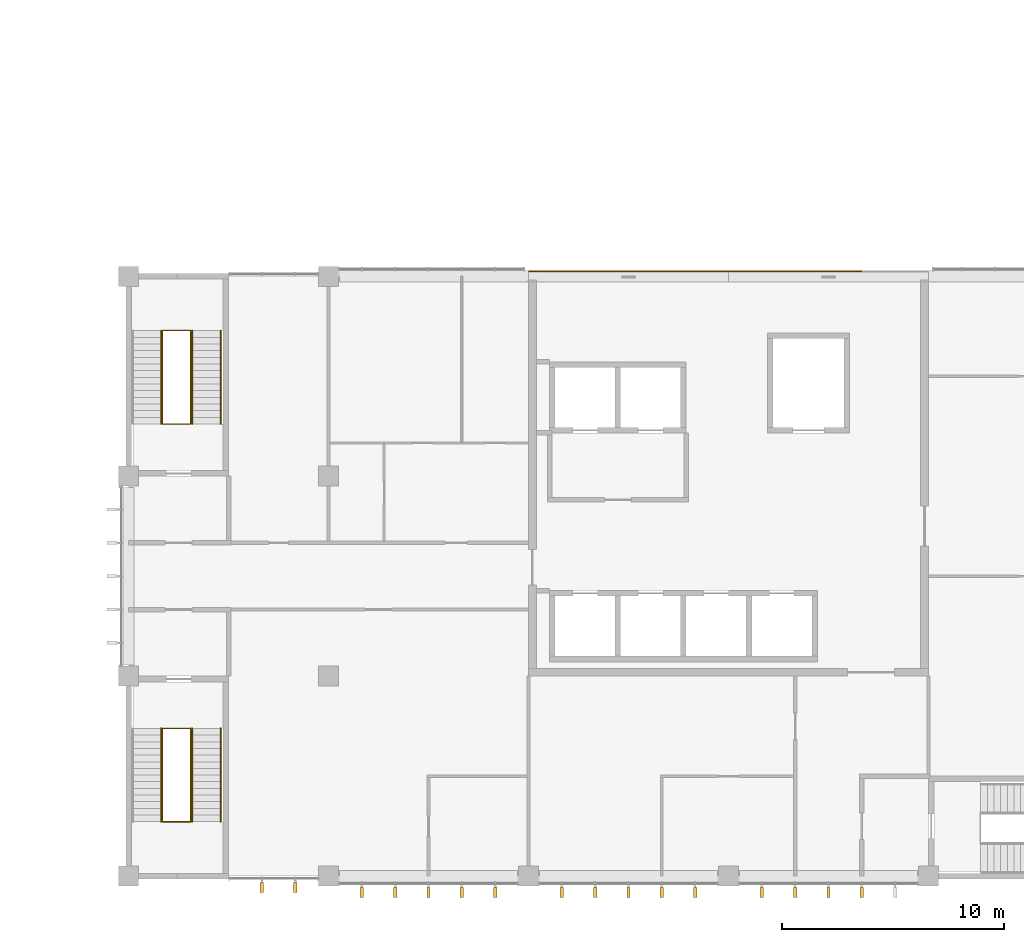
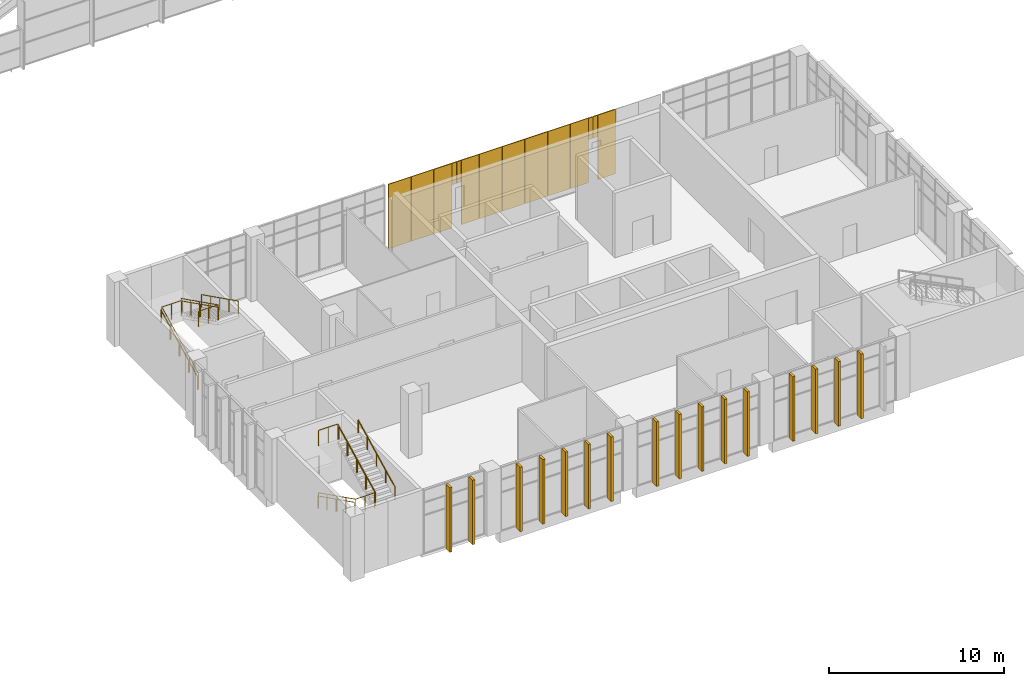
# One storey, part 102 of 106: 16 shading devices, 14 coverings, 8 railings.
"""IFC4 building model written with IfcOpenShell, lengths in metres."""

from ifc_helpers import new_model, si_unit, direction, frame, origin, origin_2d, place, context, subcontext, project, spatial, rectangle, circle, extrude, material, layer, layer_set, type_object, element, save


model = new_model("IFC4")

# Units and contexts
model_context = context("Model", 3, precision=1e-05, world=origin(), true_north=direction((0.0, 1.0)))
body_context = subcontext(model_context, "Body", "Model", "MODEL_VIEW")
ifc_project = project(units=[si_unit("LENGTHUNIT", "METRE"), si_unit("AREAUNIT", "SQUARE_METRE"), si_unit("VOLUMEUNIT", "CUBIC_METRE"), si_unit("PLANEANGLEUNIT", "RADIAN"), si_unit("MASSUNIT", "GRAM", prefix="KILO")], contexts=[model_context])

# Site, building, storey
site_placement = place(None, origin())
site = spatial("IfcSite", under=ifc_project, at=site_placement, CompositionType="ELEMENT")
building_placement = place(site_placement, origin())
building = spatial("IfcBuilding", under=site, at=building_placement, Name="Guidao Yard Department Store", CompositionType="ELEMENT")
storey_placement = place(building_placement, frame((0.0, 0.0, 10.5)))
storey = spatial("IfcBuildingStorey", under=building, at=storey_placement, Name="L02", CompositionType="ELEMENT", Elevation=10.5)

# Coverings
ifc_material_1 = material(Name="Anodised aluminium 6063-T5 cladding", Category="aluminium")
ifc_layer = layer(ifc_material_1, 0.050048828125)
ifc_layer_set = layer_set([ifc_layer], Name="Facade cladding CP1 anodised aluminium panel 6063")
covering_type = type_object("IfcCoveringType", Name="Facade cladding CP1 anodised aluminium panel 6063", PredefinedType="CLADDING", material=ifc_layer_set)
for number, where, z_axis, x_axis, name in (
    (1, (144.75, 27.22509765625, 0.0), (0.0, 0.0, 1.0), (1.0, 0.0, 0.0), "Core face cladding"),
    (2, (146.25, 27.22509765625, 0.0), (0.0, 0.0, 1.0), (1.0, 0.0, 0.0), "Core face cladding"),
):
    element("IfcCovering", number, at=place(storey_placement, frame(where, z_axis=z_axis, x_axis=x_axis)), inside=storey, type_object=covering_type, Name=name, PredefinedType="CLADDING", context=body_context, shape_type="SweptSolid", body=[
        extrude(rectangle(XDim=1.47998046875, YDim=0.050048828125, at=origin_2d()), origin(), (0.0, 0.0, 1.0), 4.5),
    ])
covering_1_placement = place(storey_placement, frame((147.60009765625, 27.22509765625, 0.0), z_axis=(0.0, 0.0, 1.0), x_axis=(1.0, 0.0, 0.0)))
element("IfcCovering", 3, at=covering_1_placement, inside=storey, type_object=covering_type, Name="Core face cladding", PredefinedType="CLADDING", context=body_context, shape_type="SweptSolid", body=[
    extrude(rectangle(XDim=1.179931640625, YDim=0.050048828125, at=origin_2d()), origin(), (0.0, 0.0, 1.0), 4.5),
])
for number, where, z_axis, x_axis, name in (
    (4, (148.35009765625, 27.22509765625, 3.0), (0.0, 0.0, 1.0), (1.0, 0.0, 0.0), "Core face cladding"),
    (5, (148.64990234375, 27.22509765625, 3.0), (0.0, 0.0, 1.0), (1.0, 0.0, 0.0), "Core face cladding"),
):
    element("IfcCovering", number, at=place(storey_placement, frame(where, z_axis=z_axis, x_axis=x_axis)), inside=storey, type_object=covering_type, Name=name, PredefinedType="CLADDING", context=body_context, shape_type="SweptSolid", body=[
        extrude(rectangle(XDim=0.280029296875, YDim=0.050048828125, at=origin_2d()), origin(), (0.0, 0.0, 1.0), 1.5),
    ])
covering_2_placement = place(storey_placement, frame((149.39990234375, 27.22509765625, 0.0), z_axis=(0.0, 0.0, 1.0), x_axis=(1.0, 0.0, 0.0)))
element("IfcCovering", 6, at=covering_2_placement, inside=storey, type_object=covering_type, Name="Core face cladding", PredefinedType="CLADDING", context=body_context, shape_type="SweptSolid", body=[
    extrude(rectangle(XDim=1.179931640625, YDim=0.050048828125, at=origin_2d()), origin(), (0.0, 0.0, 1.0), 4.5),
])
for number, where, z_axis, x_axis, name in (
    (7, (150.75, 27.22509765625, 0.0), (0.0, 0.0, 1.0), (1.0, 0.0, 0.0), "Core face cladding"),
    (8, (152.25, 27.22509765625, 0.0), (0.0, 0.0, 1.0), (1.0, 0.0, 0.0), "Core face cladding"),
    (9, (153.75, 27.22509765625, 0.0), (0.0, 0.0, 1.0), (1.0, 0.0, 0.0), "Core face cladding"),
    (10, (155.25, 27.22509765625, 0.0), (0.0, 0.0, 1.0), (1.0, 0.0, 0.0), "Core face cladding"),
):
    element("IfcCovering", number, at=place(storey_placement, frame(where, z_axis=z_axis, x_axis=x_axis)), inside=storey, type_object=covering_type, Name=name, PredefinedType="CLADDING", context=body_context, shape_type="SweptSolid", body=[
        extrude(rectangle(XDim=1.47998046875, YDim=0.050048828125, at=origin_2d()), origin(), (0.0, 0.0, 1.0), 4.5),
    ])
covering_3_placement = place(storey_placement, frame((156.60009765625, 27.22509765625, 0.0), z_axis=(0.0, 0.0, 1.0), x_axis=(1.0, 0.0, 0.0)))
element("IfcCovering", 11, at=covering_3_placement, inside=storey, type_object=covering_type, Name="Core face cladding", PredefinedType="CLADDING", context=body_context, shape_type="SweptSolid", body=[
    extrude(rectangle(XDim=1.179931640625, YDim=0.050048828125, at=origin_2d()), origin(), (0.0, 0.0, 1.0), 4.5),
])
for number, where, z_axis, x_axis, name in (
    (12, (157.35009765625, 27.22509765625, 3.0), (0.0, 0.0, 1.0), (1.0, 0.0, 0.0), "Core face cladding"),
    (13, (157.64990234375, 27.22509765625, 3.0), (0.0, 0.0, 1.0), (1.0, 0.0, 0.0), "Core face cladding"),
):
    element("IfcCovering", number, at=place(storey_placement, frame(where, z_axis=z_axis, x_axis=x_axis)), inside=storey, type_object=covering_type, Name=name, PredefinedType="CLADDING", context=body_context, shape_type="SweptSolid", body=[
        extrude(rectangle(XDim=0.280029296875, YDim=0.050048828125, at=origin_2d()), origin(), (0.0, 0.0, 1.0), 1.5),
    ])
covering_4_placement = place(storey_placement, frame((158.39990234375, 27.22509765625, 0.0), z_axis=(0.0, 0.0, 1.0), x_axis=(1.0, 0.0, 0.0)))
element("IfcCovering", 14, at=covering_4_placement, inside=storey, type_object=covering_type, Name="Core face cladding", PredefinedType="CLADDING", context=body_context, shape_type="SweptSolid", body=[
    extrude(rectangle(XDim=1.179931640625, YDim=0.050048828125, at=origin_2d()), origin(), (0.0, 0.0, 1.0), 4.5),
])

# Railings
ifc_material_2 = material(Name="Steel Q235", Category="steel")
railing_type_1 = type_object("IfcRailingType", Name="Guard steel balustrade 1100", PredefinedType="GUARDRAIL", material=ifc_material_2)
railing_1_placement = place(storey_placement, frame((127.52490234375, 6.64990234375, 0.14990234375)))
element("IfcRailing", 15, at=railing_1_placement, inside=storey, type_object=railing_type_1, Name="Stair O1 guard L02 14", PredefinedType="GUARDRAIL", context=body_context, shape_type="SweptSolid", body=[
    extrude(circle(Radius=0.02392578125, at=origin_2d()), frame((0.0, 0.0, 1.076171875), z_axis=(0.0, -0.894416792377, 0.447234392142), x_axis=(1.0, 0.0, 0.0)), (0.0, 0.0, 1.0), 4.69580078125),
    extrude(circle(Radius=0.02392578125, at=origin_2d()), frame((0.0, -4.199951171875, 3.17626953125), z_axis=(1.0, 0.0, 0.0), x_axis=(0.0, 1.0, 0.0)), (0.0, 0.0, 1.0), 1.275146484375),
    extrude(circle(Radius=0.02392578125, at=origin_2d()), frame((1.275146484375, -4.199951171875, 3.17626953125), z_axis=(0.0, 0.0, 1.0), x_axis=(1.0, 0.0, 0.0)), (0.0, 0.0, 1.0), 0.14990234375),
    extrude(circle(Radius=0.02392578125, at=origin_2d()), frame((1.275146484375, -4.199951171875, 3.326171875), z_axis=(0.0, 0.894416792377, 0.447234392142), x_axis=(-1.0, 0.0, 0.0)), (0.0, 0.0, 1.0), 4.69580078125),
    extrude(circle(Radius=0.02392578125, at=origin_2d()), frame((1.275146484375, 0.0, 5.42626953125), z_axis=(-1.0, 0.0, 0.0), x_axis=(0.0, -1.0, 0.0)), (0.0, 0.0, 1.0), 1.275146484375),
    extrude(circle(Radius=0.02099609375, at=origin_2d()), origin(), (0.0, 0.0, 1.0), 1.052001953125),
    extrude(circle(Radius=0.02099609375, at=origin_2d()), frame((0.0, -1.050048828125, 0.52490234375)), (0.0, 0.0, 1.0), 1.052001953125),
    extrude(circle(Radius=0.02099609375, at=origin_2d()), frame((0.0, -2.10009765625, 1.050048828125)), (0.0, 0.0, 1.0), 1.052001953125),
    extrude(circle(Radius=0.02099609375, at=origin_2d()), frame((0.0, -3.14990234375, 1.5751953125)), (0.0, 0.0, 1.0), 1.052001953125),
    extrude(circle(Radius=0.02099609375, at=origin_2d()), frame((0.0, -4.199951171875, 2.10009765625)), (0.0, 0.0, 1.0), 1.052001953125),
    extrude(circle(Radius=0.02099609375, at=origin_2d()), frame((0.6376953125, -4.199951171875, 2.10009765625)), (0.0, 0.0, 1.0), 1.052001953125),
    extrude(circle(Radius=0.02099609375, at=origin_2d()), frame((1.275146484375, -4.199951171875, 2.10009765625)), (0.0, 0.0, 1.0), 1.052001953125),
    extrude(circle(Radius=0.02099609375, at=origin_2d()), frame((1.275146484375, -4.199951171875, 2.25)), (0.0, 0.0, 1.0), 1.052001953125),
    extrude(circle(Radius=0.02099609375, at=origin_2d()), frame((1.275146484375, -3.14990234375, 2.77490234375)), (0.0, 0.0, 1.0), 1.052001953125),
    extrude(circle(Radius=0.02099609375, at=origin_2d()), frame((1.275146484375, -2.10009765625, 3.300048828125)), (0.0, 0.0, 1.0), 1.052001953125),
    extrude(circle(Radius=0.02099609375, at=origin_2d()), frame((1.275146484375, -1.050048828125, 3.8251953125)), (0.0, 0.0, 1.0), 1.052001953125),
    extrude(circle(Radius=0.02099609375, at=origin_2d()), frame((1.275146484375, 0.0, 4.35009765625)), (0.0, 0.0, 1.0), 1.052001953125),
    extrude(circle(Radius=0.02099609375, at=origin_2d()), frame((0.6376953125, 0.0, 4.35009765625)), (0.0, 0.0, 1.0), 1.052001953125),
    extrude(circle(Radius=0.02099609375, at=origin_2d()), frame((0.0, 0.0, 4.35009765625)), (0.0, 0.0, 1.0), 1.052001953125),
])
railing_2_placement = place(storey_placement, frame((127.52490234375, 20.35009765625, 0.14990234375)))
element("IfcRailing", 16, at=railing_2_placement, inside=storey, type_object=railing_type_1, Name="Stair O3 guard L02 16", PredefinedType="GUARDRAIL", context=body_context, shape_type="SweptSolid", body=[
    extrude(circle(Radius=0.02392578125, at=origin_2d()), frame((0.0, 0.0, 1.076171875), z_axis=(0.0, 0.894416792377, 0.447234392142), x_axis=(-1.0, 0.0, 0.0)), (0.0, 0.0, 1.0), 4.69580078125),
    extrude(circle(Radius=0.02392578125, at=origin_2d()), frame((0.0, 4.199951171875, 3.17626953125), z_axis=(1.0, 0.0, 0.0), x_axis=(0.0, 1.0, 0.0)), (0.0, 0.0, 1.0), 1.275146484375),
    extrude(circle(Radius=0.02392578125, at=origin_2d()), frame((1.275146484375, 4.199951171875, 3.17626953125), z_axis=(0.0, 0.0, 1.0), x_axis=(1.0, 0.0, 0.0)), (0.0, 0.0, 1.0), 0.14990234375),
    extrude(circle(Radius=0.02392578125, at=origin_2d()), frame((1.275146484375, 4.199951171875, 3.326171875), z_axis=(0.0, -0.894416792377, 0.447234392142), x_axis=(1.0, 0.0, 0.0)), (0.0, 0.0, 1.0), 4.69580078125),
    extrude(circle(Radius=0.02392578125, at=origin_2d()), frame((1.275146484375, 0.0, 5.42626953125), z_axis=(-1.0, 0.0, 0.0), x_axis=(0.0, -1.0, 0.0)), (0.0, 0.0, 1.0), 1.275146484375),
    extrude(circle(Radius=0.02099609375, at=origin_2d()), origin(), (0.0, 0.0, 1.0), 1.052001953125),
    extrude(circle(Radius=0.02099609375, at=origin_2d()), frame((0.0, 1.050048828125, 0.52490234375)), (0.0, 0.0, 1.0), 1.052001953125),
    extrude(circle(Radius=0.02099609375, at=origin_2d()), frame((0.0, 2.10009765625, 1.050048828125)), (0.0, 0.0, 1.0), 1.052001953125),
    extrude(circle(Radius=0.02099609375, at=origin_2d()), frame((0.0, 3.14990234375, 1.5751953125)), (0.0, 0.0, 1.0), 1.052001953125),
    extrude(circle(Radius=0.02099609375, at=origin_2d()), frame((0.0, 4.199951171875, 2.10009765625)), (0.0, 0.0, 1.0), 1.052001953125),
    extrude(circle(Radius=0.02099609375, at=origin_2d()), frame((0.6376953125, 4.199951171875, 2.10009765625)), (0.0, 0.0, 1.0), 1.052001953125),
    extrude(circle(Radius=0.02099609375, at=origin_2d()), frame((1.275146484375, 4.199951171875, 2.10009765625)), (0.0, 0.0, 1.0), 1.052001953125),
    extrude(circle(Radius=0.02099609375, at=origin_2d()), frame((1.275146484375, 4.199951171875, 2.25)), (0.0, 0.0, 1.0), 1.052001953125),
    extrude(circle(Radius=0.02099609375, at=origin_2d()), frame((1.275146484375, 3.14990234375, 2.77490234375)), (0.0, 0.0, 1.0), 1.052001953125),
    extrude(circle(Radius=0.02099609375, at=origin_2d()), frame((1.275146484375, 2.10009765625, 3.300048828125)), (0.0, 0.0, 1.0), 1.052001953125),
    extrude(circle(Radius=0.02099609375, at=origin_2d()), frame((1.275146484375, 1.050048828125, 3.8251953125)), (0.0, 0.0, 1.0), 1.052001953125),
    extrude(circle(Radius=0.02099609375, at=origin_2d()), frame((1.275146484375, 0.0, 4.35009765625)), (0.0, 0.0, 1.0), 1.052001953125),
    extrude(circle(Radius=0.02099609375, at=origin_2d()), frame((0.6376953125, 0.0, 4.35009765625)), (0.0, 0.0, 1.0), 1.052001953125),
    extrude(circle(Radius=0.02099609375, at=origin_2d()), frame((0.0, 0.0, 4.35009765625)), (0.0, 0.0, 1.0), 1.052001953125),
])
ifc_material_3 = material(Name="Steel Q235", Category="steel")
railing_type_2 = type_object("IfcRailingType", Name="Handrail steel tube 48", PredefinedType="HANDRAIL", material=ifc_material_3)
railing_3_placement = place(storey_placement, frame((127.465087890625, 6.64990234375, 0.14990234375)))
element("IfcRailing", 17, at=railing_3_placement, inside=storey, type_object=railing_type_2, Name="Stair O1 hand rail L02 50", PredefinedType="HANDRAIL", context=body_context, shape_type="SweptSolid", body=[
    extrude(circle(Radius=0.02392578125, at=origin_2d()), frame((0.0, 0.0, 0.8759765625), z_axis=(0.0, -0.894416792377, 0.447234392142), x_axis=(1.0, 0.0, 0.0)), (0.0, 0.0, 1.0), 4.69580078125),
    extrude(circle(Radius=0.02099609375, at=origin_2d()), origin(), (0.0, 0.0, 1.0), 0.851806640625),
    extrude(circle(Radius=0.02099609375, at=origin_2d()), frame((0.0, -1.050048828125, 0.52490234375)), (0.0, 0.0, 1.0), 0.851806640625),
    extrude(circle(Radius=0.02099609375, at=origin_2d()), frame((0.0, -2.10009765625, 1.050048828125)), (0.0, 0.0, 1.0), 0.851806640625),
    extrude(circle(Radius=0.02099609375, at=origin_2d()), frame((0.0, -3.14990234375, 1.5751953125)), (0.0, 0.0, 1.0), 0.851806640625),
    extrude(circle(Radius=0.02099609375, at=origin_2d()), frame((0.0, -4.199951171875, 2.10009765625)), (0.0, 0.0, 1.0), 0.851806640625),
])
for number, where, name in (
    (18, (128.860107421875, 2.449951171875, 2.39990234375), "Stair O1 hand rail L02 51"),
    (19, (130.139892578125, 2.449951171875, 2.39990234375), "Stair O1 hand rail L02 52"),
    (20, (127.465087890625, 20.35009765625, 0.14990234375), "Stair O3 hand rail L02 58"),
):
    element("IfcRailing", number, at=place(storey_placement, frame(where)), inside=storey, type_object=railing_type_2, Name=name, PredefinedType="HANDRAIL", context=body_context, shape_type="SweptSolid", body=[
        extrude(circle(Radius=0.02392578125, at=origin_2d()), frame((0.0, 0.0, 0.8759765625), z_axis=(0.0, 0.894416792377, 0.447234392142), x_axis=(-1.0, 0.0, 0.0)), (0.0, 0.0, 1.0), 4.69580078125),
        extrude(circle(Radius=0.02099609375, at=origin_2d()), origin(), (0.0, 0.0, 1.0), 0.851806640625),
        extrude(circle(Radius=0.02099609375, at=origin_2d()), frame((0.0, 1.050048828125, 0.52490234375)), (0.0, 0.0, 1.0), 0.851806640625),
        extrude(circle(Radius=0.02099609375, at=origin_2d()), frame((0.0, 2.10009765625, 1.050048828125)), (0.0, 0.0, 1.0), 0.851806640625),
        extrude(circle(Radius=0.02099609375, at=origin_2d()), frame((0.0, 3.14990234375, 1.5751953125)), (0.0, 0.0, 1.0), 0.851806640625),
        extrude(circle(Radius=0.02099609375, at=origin_2d()), frame((0.0, 4.199951171875, 2.10009765625)), (0.0, 0.0, 1.0), 0.851806640625),
    ])
for number, where, name in (
    (21, (128.860107421875, 24.550048828125, 2.39990234375), "Stair O3 hand rail L02 59"),
    (22, (130.139892578125, 24.550048828125, 2.39990234375), "Stair O3 hand rail L02 60"),
):
    element("IfcRailing", number, at=place(storey_placement, frame(where)), inside=storey, type_object=railing_type_2, Name=name, PredefinedType="HANDRAIL", context=body_context, shape_type="SweptSolid", body=[
        extrude(circle(Radius=0.02392578125, at=origin_2d()), frame((0.0, 0.0, 0.8759765625), z_axis=(0.0, -0.894416792377, 0.447234392142), x_axis=(1.0, 0.0, 0.0)), (0.0, 0.0, 1.0), 4.69580078125),
        extrude(circle(Radius=0.02099609375, at=origin_2d()), origin(), (0.0, 0.0, 1.0), 0.851806640625),
        extrude(circle(Radius=0.02099609375, at=origin_2d()), frame((0.0, -1.050048828125, 0.52490234375)), (0.0, 0.0, 1.0), 0.851806640625),
        extrude(circle(Radius=0.02099609375, at=origin_2d()), frame((0.0, -2.10009765625, 1.050048828125)), (0.0, 0.0, 1.0), 0.851806640625),
        extrude(circle(Radius=0.02099609375, at=origin_2d()), frame((0.0, -3.14990234375, 1.5751953125)), (0.0, 0.0, 1.0), 0.851806640625),
        extrude(circle(Radius=0.02099609375, at=origin_2d()), frame((0.0, -4.199951171875, 2.10009765625)), (0.0, 0.0, 1.0), 0.851806640625),
    ])

# Shading devices
ifc_material_4 = material(Name="Aluminium 6063-T5", Category="aluminium")
shading_device_type = type_object("IfcShadingDeviceType", Name="Vertical fin FN2 aluminium 150 x 450", PredefinedType="SHUTTER", material=ifc_material_4)
for number, where, z_axis, x_axis, name in (
    (23, (132.0, -0.5048828125, 0.0), (0.0, 0.0, 1.0), (-1.0, 0.0, 0.0), "Vertical fin"),
    (24, (133.5, -0.5048828125, 0.0), (0.0, 0.0, 1.0), (-1.0, 0.0, 0.0), "Vertical fin"),
    (25, (136.5, -0.735107421875, 0.0), (0.0, 0.0, 1.0), (-1.0, 0.0, 0.0), "Vertical fin"),
    (26, (138.0, -0.735107421875, 0.0), (0.0, 0.0, 1.0), (-1.0, 0.0, 0.0), "Vertical fin"),
    (27, (139.5, -0.735107421875, 0.0), (0.0, 0.0, 1.0), (-1.0, 0.0, 0.0), "Vertical fin"),
    (28, (141.0, -0.735107421875, 0.0), (0.0, 0.0, 1.0), (-1.0, 0.0, 0.0), "Vertical fin"),
    (29, (142.5, -0.735107421875, 0.0), (0.0, 0.0, 1.0), (-1.0, 0.0, 0.0), "Vertical fin"),
    (30, (145.5, -0.735107421875, 0.0), (0.0, 0.0, 1.0), (-1.0, 0.0, 0.0), "Vertical fin"),
    (31, (147.0, -0.735107421875, 0.0), (0.0, 0.0, 1.0), (-1.0, 0.0, 0.0), "Vertical fin"),
    (32, (148.5, -0.735107421875, 0.0), (0.0, 0.0, 1.0), (-1.0, 0.0, 0.0), "Vertical fin"),
    (33, (150.0, -0.735107421875, 0.0), (0.0, 0.0, 1.0), (-1.0, 0.0, 0.0), "Vertical fin"),
    (34, (151.5, -0.735107421875, 0.0), (0.0, 0.0, 1.0), (-1.0, 0.0, 0.0), "Vertical fin"),
    (35, (154.5, -0.735107421875, 0.0), (0.0, 0.0, 1.0), (-1.0, 0.0, 0.0), "Vertical fin"),
    (36, (156.0, -0.735107421875, 0.0), (0.0, 0.0, 1.0), (-1.0, 0.0, 0.0), "Vertical fin"),
    (37, (157.5, -0.735107421875, 0.0), (0.0, 0.0, 1.0), (-1.0, 0.0, 0.0), "Vertical fin"),
    (38, (159.0, -0.735107421875, 0.0), (0.0, 0.0, 1.0), (-1.0, 0.0, 0.0), "Vertical fin"),
):
    element("IfcShadingDevice", number, at=place(storey_placement, frame(where, z_axis=z_axis, x_axis=x_axis)), inside=storey, type_object=shading_device_type, Name=name, PredefinedType="SHUTTER", context=body_context, shape_type="SweptSolid", body=[
        extrude(rectangle(XDim=0.14990234375, YDim=0.449951171875, at=origin_2d()), origin(), (0.0, 0.0, 1.0), 4.5),
    ])

save(model, "model.ifc")
